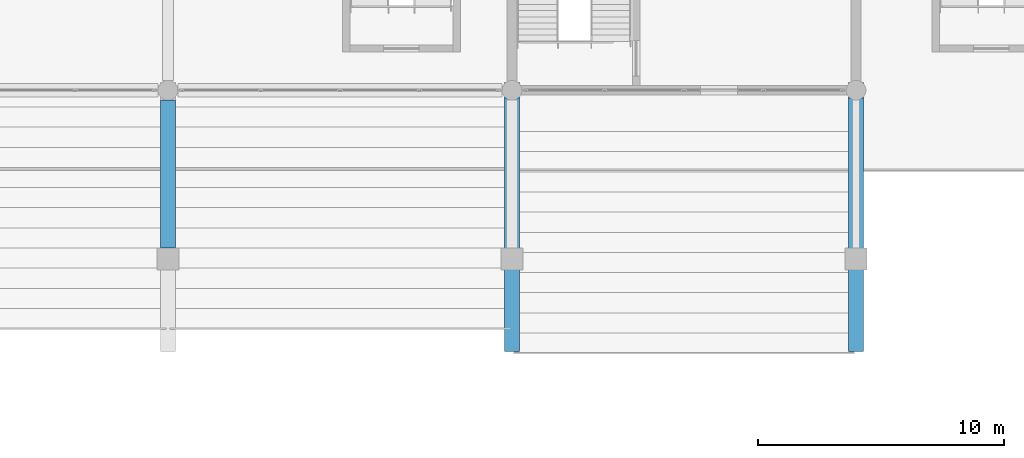
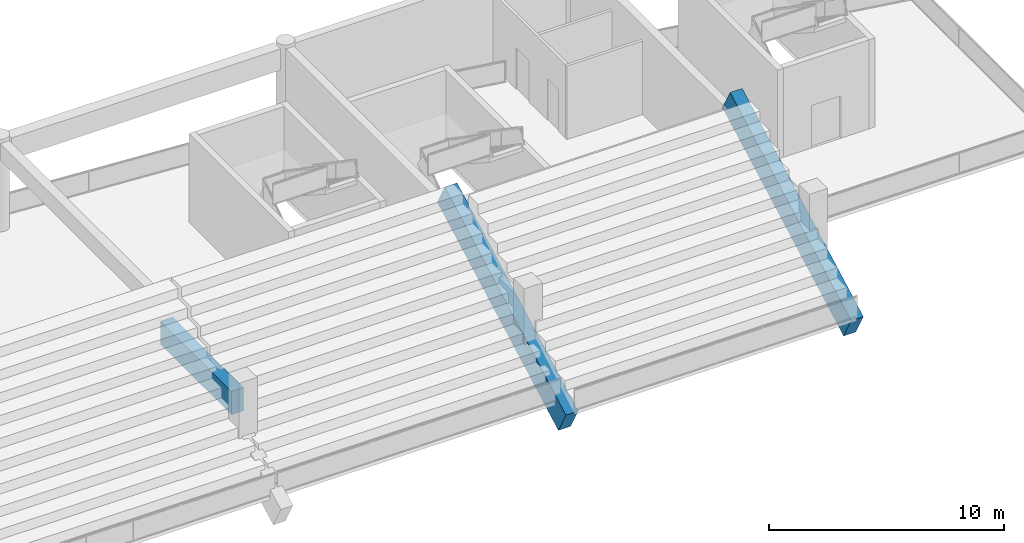
# One storey, part 50 of 94: 3 beams.
"""IFC4 building model written with IfcOpenShell, lengths in metres."""

from ifc_helpers import new_model, si_unit, direction, frame, origin, origin_2d, place, context, subcontext, project, spatial, rectangle, extrude, material, material_profile, profile_set, type_object, element, save


model = new_model("IFC4")

# Units and contexts
model_context = context("Model", 3, precision=1e-05, world=origin(), true_north=direction((0.0, 1.0)))
body_context = subcontext(model_context, "Body", "Model", "MODEL_VIEW")
ifc_project = project(units=[si_unit("LENGTHUNIT", "METRE"), si_unit("AREAUNIT", "SQUARE_METRE"), si_unit("VOLUMEUNIT", "CUBIC_METRE"), si_unit("PLANEANGLEUNIT", "RADIAN"), si_unit("MASSUNIT", "GRAM", prefix="KILO")], contexts=[model_context])

# Site, building, storey
site_placement = place(None, origin())
site = spatial("IfcSite", under=ifc_project, at=site_placement, CompositionType="ELEMENT")
building_placement = place(site_placement, origin())
building = spatial("IfcBuilding", under=site, at=building_placement, Name="Linyun Crest Stadium", CompositionType="ELEMENT")
storey_placement = place(building_placement, frame((0.0, 0.0, 16.199951171875)))
storey = spatial("IfcBuildingStorey", under=building, at=storey_placement, Name="L04", CompositionType="ELEMENT", Elevation=16.199951171875)

# Beams
ifc_material_1 = material(Name="Precast concrete C50", Category="concrete")
ifc_material_profile_1 = material_profile(ifc_material_1, rectangle(XDim=0.60009765625, YDim=1.35009765625, at=origin_2d()), Name="PCR 1350x600")
ifc_profile_set_1 = profile_set([ifc_material_profile_1], Name="Precast concrete C50")
beam_type_1 = type_object("IfcBeamType", Name="RB03", PredefinedType="USERDEFINED", material=ifc_profile_set_1)
for number, where, z_axis, x_axis, name in (
    (1, (14.0, 81.199951171875, -0.39990234375), (0.0, 0.878552895081, 0.47764506754), (-1.0, 0.0, 0.0), "Precast raker beam RB03 V3 85"),
    (2, (28.0, 81.199951171875, -0.39990234375), (0.0, 0.878552895081, 0.47764506754), (-1.0, 0.0, 0.0), "Precast raker beam RB03 V3 91"),
):
    element("IfcBeam", number, at=place(storey_placement, frame(where, z_axis=z_axis, x_axis=x_axis)), inside=storey, type_object=beam_type_1, Name=name, ObjectType="RAKER", PredefinedType="USERDEFINED", context=body_context, shape_type="SweptSolid", body=[
        extrude(rectangle(XDim=0.60009765625, YDim=1.35009765625, at=origin_2d()), origin(), (0.0, 0.0, 1.0), 11.723876953125),
    ])
ifc_material_2 = material(Name="Concrete C50", Category="concrete")
ifc_material_profile_2 = material_profile(ifc_material_2, rectangle(XDim=0.60009765625, YDim=1.199951171875, at=origin_2d()), Name="RCB 1200x600")
ifc_profile_set_2 = profile_set([ifc_material_profile_2], Name="Concrete C50")
beam_type_2 = type_object("IfcBeamType", Name="TB02", PredefinedType="USERDEFINED", material=ifc_profile_set_2)
beam_placement = place(storey_placement, frame((0.0, 85.074951171875, 3.170166015625), z_axis=(0.0, 1.0, 0.0), x_axis=(-1.0, 0.0, 0.0)))
element("IfcBeam", 3, at=beam_placement, inside=storey, type_object=beam_type_2, Name="Frame beam TB02 L04 816", ObjectType="GIRDER", PredefinedType="USERDEFINED", context=body_context, shape_type="SweptSolid", body=[
    extrude(rectangle(XDim=0.60009765625, YDim=1.199951171875, at=origin_2d()), origin(), (0.0, 0.0, 1.0), 6.025146484375),
])

save(model, "model.ifc")
